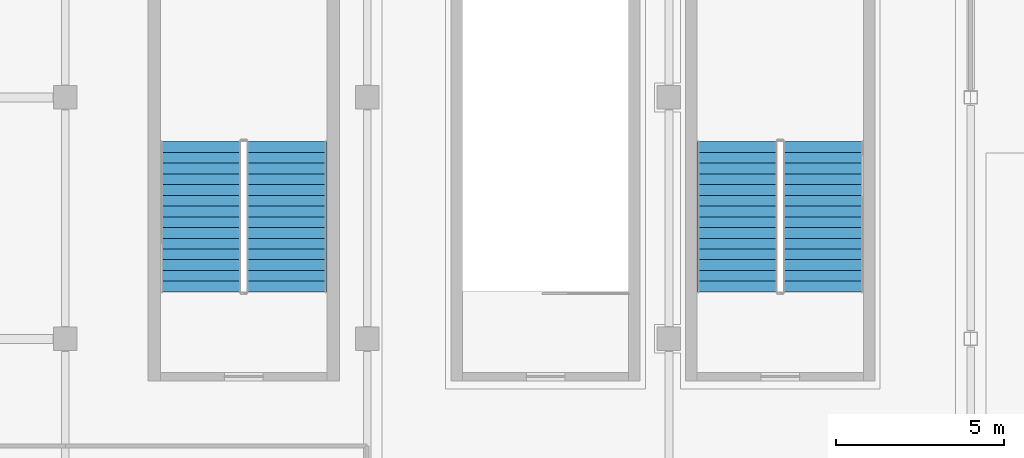
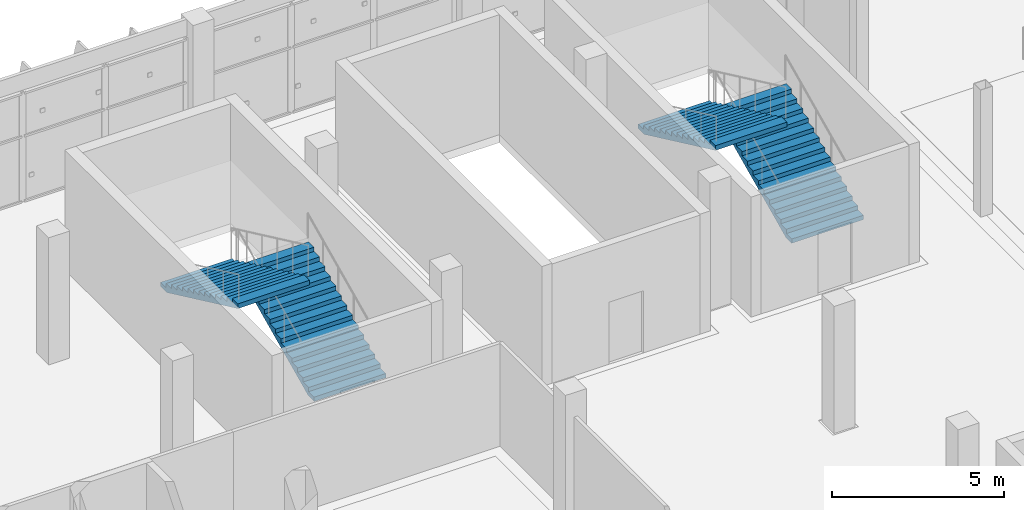
# One storey, part 122 of 151: 4 stair flights, 2 elements without a shape of their own.
"""IFC4 building model written with IfcOpenShell, lengths in metres."""

from ifc_helpers import new_model, si_unit, direction, frame, origin, place, context, subcontext, project, spatial, polyline, outline, extrude, material, type_object, element, aggregate, save


model = new_model("IFC4")

# Units and contexts
model_context = context("Model", 3, precision=1e-05, world=origin(), true_north=direction((0.0, 1.0)))
body_context = subcontext(model_context, "Body", "Model", "MODEL_VIEW")
ifc_project = project(units=[si_unit("LENGTHUNIT", "METRE"), si_unit("AREAUNIT", "SQUARE_METRE"), si_unit("VOLUMEUNIT", "CUBIC_METRE"), si_unit("PLANEANGLEUNIT", "RADIAN"), si_unit("MASSUNIT", "GRAM", prefix="KILO")], contexts=[model_context])

# Site, building, storey
site_placement = place(None, origin())
site = spatial("IfcSite", under=ifc_project, at=site_placement, CompositionType="ELEMENT")
building_placement = place(site_placement, origin())
building = spatial("IfcBuilding", under=site, at=building_placement, Name="Celestram Park Convention Centre", CompositionType="ELEMENT")
storey_placement = place(building_placement, frame((0.0, 0.0, 10.800048828125)))
storey = spatial("IfcBuildingStorey", under=building, at=storey_placement, Name="L02", CompositionType="ELEMENT", Elevation=10.800048828125)

# Stair, stair flights
ifc_material = material(Name="Precast Concrete C40/50", Category="concrete")
stair_type = type_object("IfcStairType", Name="ARC-STR-DOG45", PredefinedType="HALF_TURN_STAIR", material=ifc_material)
stair_1_placement = place(storey_placement, origin())
stair_1 = element("IfcStair", 1, at=stair_1_placement, inside=storey, type_object=stair_type, Name="L02 Core C5 stair ST-05", PredefinedType="HALF_TURN_STAIR")
stair_flight_type = type_object("IfcStairFlightType", Name="ARC-FLT-15R", PredefinedType="STRAIGHT", material=ifc_material)
stair_flight_1_placement = place(storey_placement, frame((132.60009765625, 152.60009765625, 0.0), z_axis=(0.0, 0.0, 1.0), x_axis=(0.0, 1.0, 0.0)))
stair_flight_1 = element("IfcStairFlight", 2, at=stair_flight_1_placement, type_object=stair_flight_type, Name="ST-05 flight 1", NumberOfRisers=15, NumberOfTreads=14, PredefinedType="STRAIGHT", RiserHeight=0.15, TreadLength=0.32, context=body_context, shape_type="SweptSolid", body=[
    extrude(outline(polyline([(0.0, 0.0), (0.0, 0.14990234375), (0.320068359375, 0.14990234375), (0.320068359375, 0.300048828125), (0.639892578125, 0.300048828125), (0.639892578125, 0.449951171875), (0.9599609375, 0.449951171875), (0.9599609375, 0.60009765625), (1.280029296875, 0.60009765625), (1.280029296875, 0.75), (1.60009765625, 0.75), (1.60009765625, 0.89990234375), (1.919921875, 0.89990234375), (1.919921875, 1.050048828125), (2.239990234375, 1.050048828125), (2.239990234375, 1.199951171875), (2.56005859375, 1.199951171875), (2.56005859375, 1.35009765625), (2.8798828125, 1.35009765625), (2.8798828125, 1.5), (3.199951171875, 1.5), (3.199951171875, 1.64990234375), (3.52001953125, 1.64990234375), (3.52001953125, 1.800048828125), (3.840087890625, 1.800048828125), (3.840087890625, 1.949951171875), (4.159912109375, 1.949951171875), (4.159912109375, 2.10009765625), (4.47998046875, 2.10009765625), (4.47998046875, 2.25), (4.47998046875, 1.934326171875), (0.353271484375, 0.0), (0.0, 0.0)])), frame((0.0, 1.199951171875, 0.0), z_axis=(0.0, -1.0, 0.0), x_axis=(1.0, 0.0, 0.0)), (0.0, 0.0, 1.0), 2.39990234375),
])
stair_flight_2_placement = place(storey_placement, frame((130.0400390625, 157.080078125, 2.25), z_axis=(0.0, 0.0, 1.0), x_axis=(0.0, -1.0, 0.0)))
stair_flight_2 = element("IfcStairFlight", 3, at=stair_flight_2_placement, type_object=stair_flight_type, Name="ST-05 flight 2", NumberOfRisers=15, NumberOfTreads=14, PredefinedType="STRAIGHT", RiserHeight=0.15, TreadLength=0.32, context=body_context, shape_type="SweptSolid", body=[
    extrude(outline(polyline([(0.0, 0.0), (0.0, 0.14990234375), (0.320068359375, 0.14990234375), (0.320068359375, 0.300048828125), (0.639892578125, 0.300048828125), (0.639892578125, 0.449951171875), (0.9599609375, 0.449951171875), (0.9599609375, 0.60009765625), (1.280029296875, 0.60009765625), (1.280029296875, 0.75), (1.60009765625, 0.75), (1.60009765625, 0.89990234375), (1.919921875, 0.89990234375), (1.919921875, 1.050048828125), (2.239990234375, 1.050048828125), (2.239990234375, 1.199951171875), (2.56005859375, 1.199951171875), (2.56005859375, 1.35009765625), (2.8798828125, 1.35009765625), (2.8798828125, 1.5), (3.199951171875, 1.5), (3.199951171875, 1.64990234375), (3.52001953125, 1.64990234375), (3.52001953125, 1.800048828125), (3.840087890625, 1.800048828125), (3.840087890625, 1.949951171875), (4.159912109375, 1.949951171875), (4.159912109375, 2.10009765625), (4.47998046875, 2.10009765625), (4.47998046875, 2.25), (4.47998046875, 1.934326171875), (0.353271484375, 0.0), (0.0, 0.0)])), frame((0.0, 1.199951171875, 0.0), z_axis=(0.0, -1.0, 0.0), x_axis=(1.0, 0.0, 0.0)), (0.0, 0.0, 1.0), 2.39990234375),
])
aggregate(stair_1, [stair_flight_1, stair_flight_2])

stair_2_placement = place(storey_placement, origin())
stair_2 = element("IfcStair", 4, at=stair_2_placement, inside=storey, type_object=stair_type, Name="L02 Core S09 stair ST-09", PredefinedType="HALF_TURN_STAIR")
stair_flight_3_placement = place(storey_placement, frame((148.60009765625, 152.60009765625, 0.0), z_axis=(0.0, 0.0, 1.0), x_axis=(0.0, 1.0, 0.0)))
stair_flight_3 = element("IfcStairFlight", 5, at=stair_flight_3_placement, type_object=stair_flight_type, Name="ST-09 flight 1", NumberOfRisers=15, NumberOfTreads=14, PredefinedType="STRAIGHT", RiserHeight=0.15, TreadLength=0.32, context=body_context, shape_type="SweptSolid", body=[
    extrude(outline(polyline([(0.0, 0.0), (0.0, 0.14990234375), (0.320068359375, 0.14990234375), (0.320068359375, 0.300048828125), (0.639892578125, 0.300048828125), (0.639892578125, 0.449951171875), (0.9599609375, 0.449951171875), (0.9599609375, 0.60009765625), (1.280029296875, 0.60009765625), (1.280029296875, 0.75), (1.60009765625, 0.75), (1.60009765625, 0.89990234375), (1.919921875, 0.89990234375), (1.919921875, 1.050048828125), (2.239990234375, 1.050048828125), (2.239990234375, 1.199951171875), (2.56005859375, 1.199951171875), (2.56005859375, 1.35009765625), (2.8798828125, 1.35009765625), (2.8798828125, 1.5), (3.199951171875, 1.5), (3.199951171875, 1.64990234375), (3.52001953125, 1.64990234375), (3.52001953125, 1.800048828125), (3.840087890625, 1.800048828125), (3.840087890625, 1.949951171875), (4.159912109375, 1.949951171875), (4.159912109375, 2.10009765625), (4.47998046875, 2.10009765625), (4.47998046875, 2.25), (4.47998046875, 1.934326171875), (0.353271484375, 0.0), (0.0, 0.0)])), frame((0.0, 1.199951171875, 0.0), z_axis=(0.0, -1.0, 0.0), x_axis=(1.0, 0.0, 0.0)), (0.0, 0.0, 1.0), 2.39990234375),
])
stair_flight_4_placement = place(storey_placement, frame((146.0400390625, 157.080078125, 2.25), z_axis=(0.0, 0.0, 1.0), x_axis=(0.0, -1.0, 0.0)))
stair_flight_4 = element("IfcStairFlight", 6, at=stair_flight_4_placement, type_object=stair_flight_type, Name="ST-09 flight 2", NumberOfRisers=15, NumberOfTreads=14, PredefinedType="STRAIGHT", RiserHeight=0.15, TreadLength=0.32, context=body_context, shape_type="SweptSolid", body=[
    extrude(outline(polyline([(0.0, 0.0), (0.0, 0.14990234375), (0.320068359375, 0.14990234375), (0.320068359375, 0.300048828125), (0.639892578125, 0.300048828125), (0.639892578125, 0.449951171875), (0.9599609375, 0.449951171875), (0.9599609375, 0.60009765625), (1.280029296875, 0.60009765625), (1.280029296875, 0.75), (1.60009765625, 0.75), (1.60009765625, 0.89990234375), (1.919921875, 0.89990234375), (1.919921875, 1.050048828125), (2.239990234375, 1.050048828125), (2.239990234375, 1.199951171875), (2.56005859375, 1.199951171875), (2.56005859375, 1.35009765625), (2.8798828125, 1.35009765625), (2.8798828125, 1.5), (3.199951171875, 1.5), (3.199951171875, 1.64990234375), (3.52001953125, 1.64990234375), (3.52001953125, 1.800048828125), (3.840087890625, 1.800048828125), (3.840087890625, 1.949951171875), (4.159912109375, 1.949951171875), (4.159912109375, 2.10009765625), (4.47998046875, 2.10009765625), (4.47998046875, 2.25), (4.47998046875, 1.934326171875), (0.353271484375, 0.0), (0.0, 0.0)])), frame((0.0, 1.199951171875, 0.0), z_axis=(0.0, -1.0, 0.0), x_axis=(1.0, 0.0, 0.0)), (0.0, 0.0, 1.0), 2.39990234375),
])
aggregate(stair_2, [stair_flight_3, stair_flight_4])

save(model, "model.ifc")
